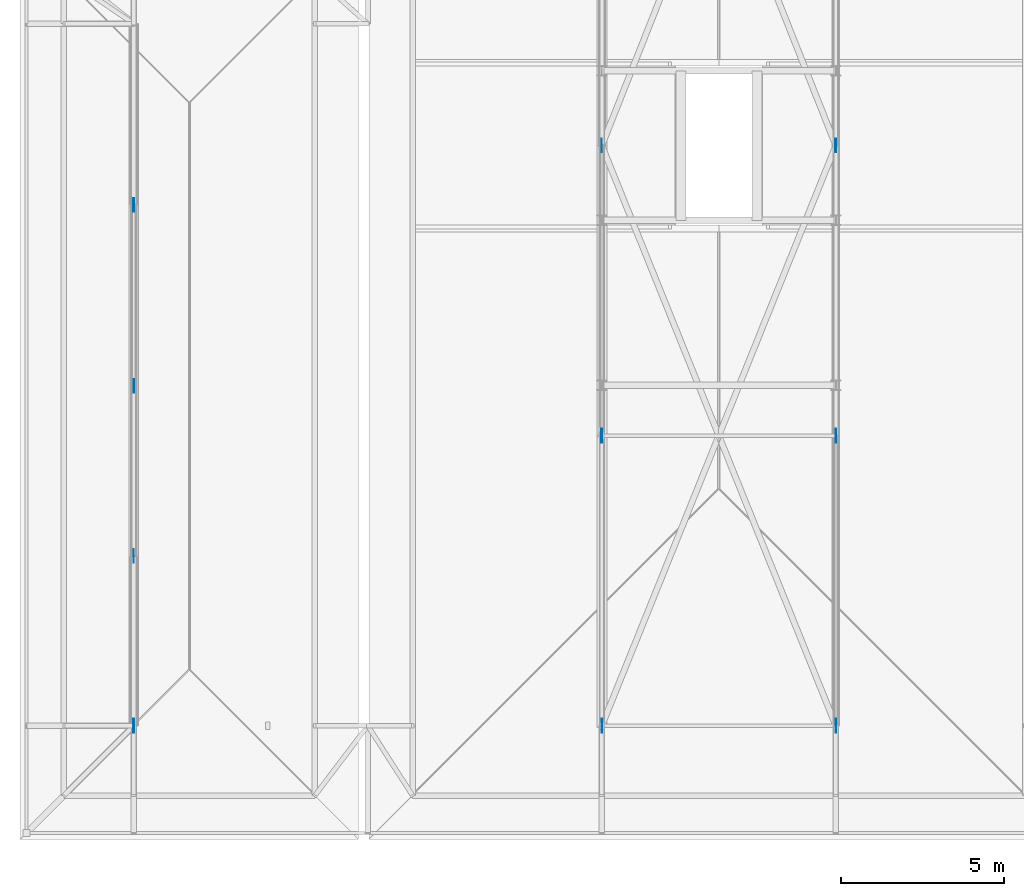
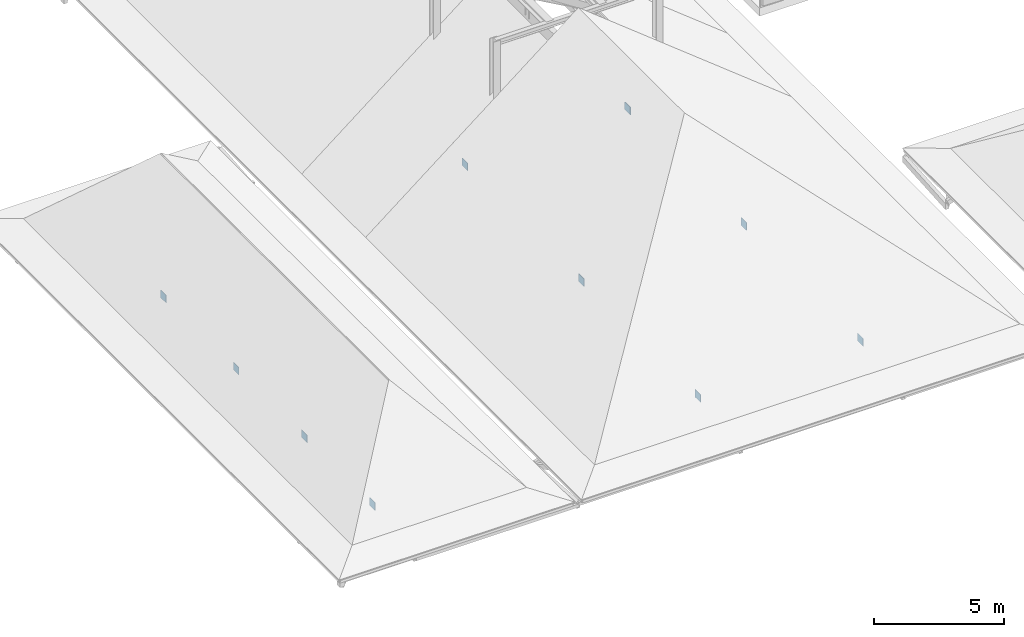
# One storey, part 28 of 51: 10 plates.
"""IFC4 building model written with IfcOpenShell, lengths in metres."""

from ifc_helpers import new_model, si_unit, direction, frame, origin, origin_2d, place, context, subcontext, project, spatial, rectangle, extrude, material, layer, layer_set, type_object, element, save


model = new_model("IFC4")

# Units and contexts
model_context = context("Model", 3, precision=1e-05, world=origin(), true_north=direction((0.0, 1.0)))
body_context = subcontext(model_context, "Body", "Model", "MODEL_VIEW")
ifc_project = project(units=[si_unit("LENGTHUNIT", "METRE"), si_unit("AREAUNIT", "SQUARE_METRE"), si_unit("VOLUMEUNIT", "CUBIC_METRE"), si_unit("PLANEANGLEUNIT", "RADIAN"), si_unit("MASSUNIT", "GRAM", prefix="KILO")], contexts=[model_context])

# Site, building, storey
site_placement = place(None, origin())
site = spatial("IfcSite", under=ifc_project, at=site_placement, CompositionType="ELEMENT")
building_placement = place(site_placement, origin())
building = spatial("IfcBuilding", under=site, at=building_placement, Name="Steenspoor Specialist Clinic", CompositionType="ELEMENT")
storey_placement = place(building_placement, frame((0.0, 0.0, 17.39990234375)))
storey = spatial("IfcBuildingStorey", under=building, at=storey_placement, Name="L04", CompositionType="ELEMENT", Elevation=17.39990234375)

# Plates
ifc_material = material(Name="Steel A572 Grade 50", Category="steel")
ifc_layer_1 = layer(ifc_material, 0.010009765625)
ifc_layer_set_1 = layer_set([ifc_layer_1], Name="Steel A572 Grade 50")
plate_type_1 = type_object("IfcPlateType", Name="PL-CAP-10", PredefinedType="SHEET", material=ifc_layer_set_1)
for number, where, z_axis, x_axis, name in (
    (1, (37.199951171875, 90.199951171875, 0.0966796875), (0.0, 0.0, 1.0), (1.0, 0.0, 0.0), "Truss Gusset Plate GP-10"),
    (2, (44.39990234375, 72.35009765625, 0.2001953125), (0.0, 0.0, 1.0), (1.0, 0.0, 0.0), "Truss Gusset Plate GP-10"),
    (3, (22.800048828125, 77.574951171875, 0.07421875), (0.0, 0.0, 1.0), (1.0, 0.0, 0.0), "Truss Gusset Plate GP-10"),
):
    element("IfcPlate", number, at=place(storey_placement, frame(where, z_axis=z_axis, x_axis=x_axis)), inside=storey, type_object=plate_type_1, Name=name, PredefinedType="SHEET", context=body_context, shape_type="SweptSolid", body=[
        extrude(rectangle(XDim=0.010009765625, YDim=0.419921875, at=origin_2d()), origin(), (0.0, 0.0, 1.0), 0.360107421875),
    ])
ifc_layer_2 = layer(ifc_material, 0.01611328125)
ifc_layer_set_2 = layer_set([ifc_layer_2], Name="Steel A572 Grade 50")
plate_type_2 = type_object("IfcPlateType", Name="PL-GUS-16", PredefinedType="SHEET", material=ifc_layer_set_2)
for number, where, z_axis, x_axis, name in (
    (4, (37.199951171875, 72.35009765625, 0.0966796875), (0.0, 0.0, 1.0), (1.0, 0.0, 0.0), "Truss Gusset Plate GP-16"),
    (5, (44.39990234375, 81.27490234375, 0.2001953125), (0.0, 0.0, 1.0), (1.0, 0.0, 0.0), "Truss Gusset Plate GP-16"),
    (6, (22.800048828125, 82.800048828125, 0.07421875), (0.0, 0.0, 1.0), (1.0, 0.0, 0.0), "Truss Gusset Plate GP-16"),
):
    element("IfcPlate", number, at=place(storey_placement, frame(where, z_axis=z_axis, x_axis=x_axis)), inside=storey, type_object=plate_type_2, Name=name, PredefinedType="SHEET", context=body_context, shape_type="SweptSolid", body=[
        extrude(rectangle(XDim=0.01611328125, YDim=0.419921875, at=origin_2d()), origin(), (0.0, 0.0, 1.0), 0.360107421875),
    ])
ifc_layer_3 = layer(ifc_material, 0.02392578125)
ifc_layer_set_3 = layer_set([ifc_layer_3], Name="Steel A572 Grade 50")
plate_type_3 = type_object("IfcPlateType", Name="PL-GUS-24", PredefinedType="SHEET", material=ifc_layer_set_3)
for number, where, z_axis, x_axis, name in (
    (7, (37.199951171875, 81.27490234375, 0.0966796875), (0.0, 0.0, 1.0), (1.0, 0.0, 0.0), "Truss Gusset Plate GP-24"),
    (8, (44.39990234375, 90.199951171875, 0.2001953125), (0.0, 0.0, 1.0), (1.0, 0.0, 0.0), "Truss Gusset Plate GP-24"),
    (9, (22.800048828125, 72.35009765625, 0.07421875), (0.0, 0.0, 1.0), (1.0, 0.0, 0.0), "Truss Gusset Plate GP-24"),
    (10, (22.800048828125, 88.375, 0.07421875), (0.0, 0.0, 1.0), (1.0, 0.0, 0.0), "Truss Gusset Plate GP-24"),
):
    element("IfcPlate", number, at=place(storey_placement, frame(where, z_axis=z_axis, x_axis=x_axis)), inside=storey, type_object=plate_type_3, Name=name, PredefinedType="SHEET", context=body_context, shape_type="SweptSolid", body=[
        extrude(rectangle(XDim=0.02392578125, YDim=0.419921875, at=origin_2d()), origin(), (0.0, 0.0, 1.0), 0.360107421875),
    ])

save(model, "model.ifc")
